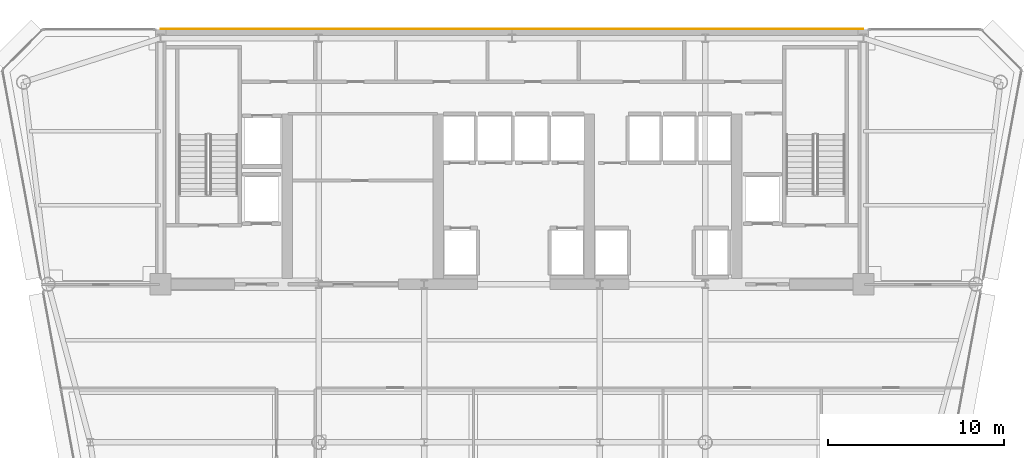
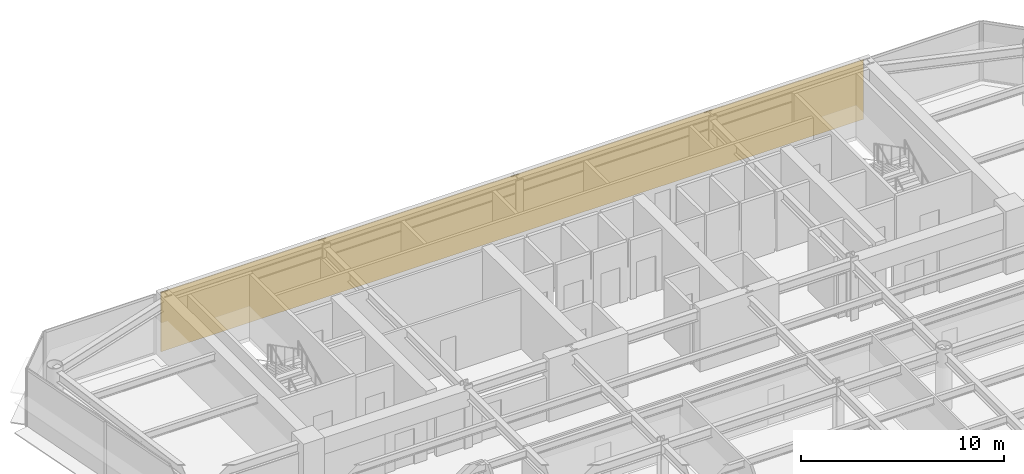
# One storey, part 15 of 16: 1 covering.
"""IFC4 building model written with IfcOpenShell, lengths in metres."""

from ifc_helpers import new_model, si_unit, direction, frame, origin, place, context, subcontext, project, spatial, polyline, outline, extrude, material, layer, layer_set, type_object, element, save


model = new_model("IFC4")

# Units and contexts
model_context = context("Model", 3, precision=1e-05, world=origin(), true_north=direction((0.0, 1.0)))
body_context = subcontext(model_context, "Body", "Model", "MODEL_VIEW")
ifc_project = project(units=[si_unit("LENGTHUNIT", "METRE"), si_unit("AREAUNIT", "SQUARE_METRE"), si_unit("VOLUMEUNIT", "CUBIC_METRE"), si_unit("PLANEANGLEUNIT", "RADIAN"), si_unit("MASSUNIT", "GRAM", prefix="KILO")], contexts=[model_context])

# Site, building, storey
site_placement = place(None, origin())
site = spatial("IfcSite", under=ifc_project, at=site_placement, CompositionType="ELEMENT")
building_placement = place(site_placement, origin())
building = spatial("IfcBuilding", under=site, at=building_placement, Name="Vaeldorn Concourse Tower", CompositionType="ELEMENT")
storey_placement = place(building_placement, frame((0.0, 0.0, 188.0)))
storey = spatial("IfcBuildingStorey", under=building, at=storey_placement, Name="L48", CompositionType="ELEMENT", Elevation=188.0)

# Covering
ifc_material = material(Name="Anodised Bronze Aluminium", Category="aluminium")
ifc_layer = layer(ifc_material, 0.050048828125)
ifc_layer_set = layer_set([ifc_layer], Name="Anodised Bronze Aluminium")
covering_type = type_object("IfcCoveringType", Name="COV-CLAD-BRONZE", PredefinedType="CLADDING", material=ifc_layer_set)
covering_placement = place(storey_placement, origin())
element("IfcCovering", 1, at=covering_placement, inside=storey, type_object=covering_type, Name="Rear Core Bronze Spandrel Cladding L48", PredefinedType="CLADDING", context=body_context, shape_type="SweptSolid", body=[
    extrude(outline(polyline([(14.0, 51.0), (54.0, 51.0), (54.0, 51.050048828125), (14.0, 51.050048828125), (14.0, 51.0)])), origin(), (0.0, 0.0, 1.0), 3.580078125),
])

save(model, "model.ifc")
